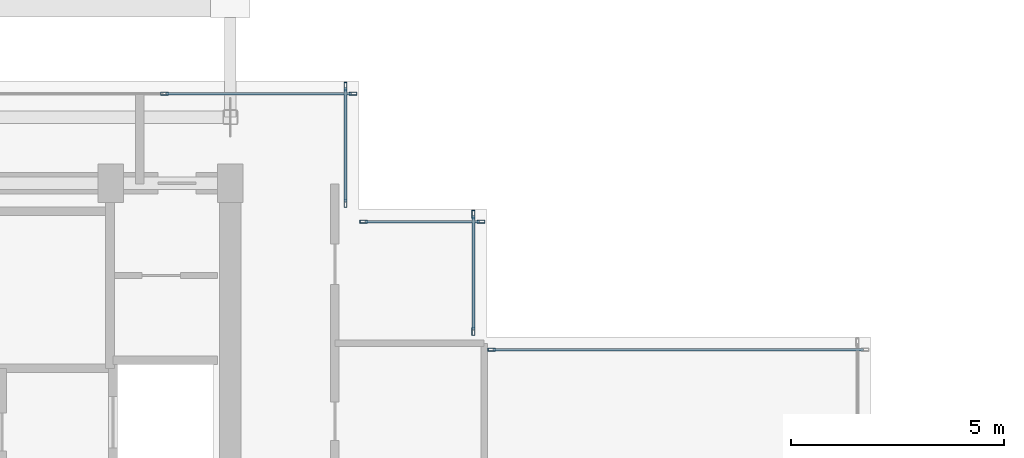
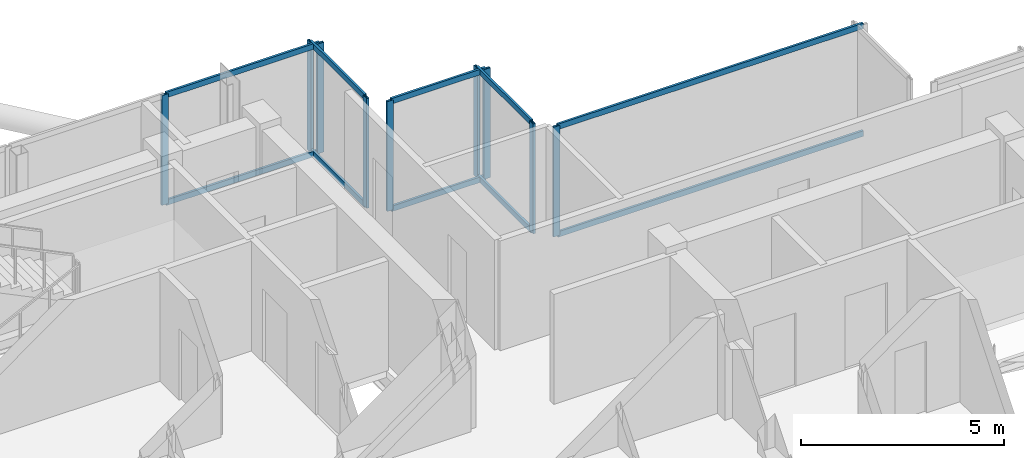
# One storey, part 10 of 18: 19 members, 5 elements without a shape of their own.
"""IFC4 building model written with IfcOpenShell, lengths in metres."""

from ifc_helpers import new_model, si_unit, direction, frame, origin, origin_2d, place, context, subcontext, project, spatial, hollow_rectangle, extrude, material, layer, layer_set, material_profile, profile_set, type_object, element, aggregate, save


model = new_model("IFC4")

# Units and contexts
model_context = context("Model", 3, precision=1e-05, world=origin(), true_north=direction((0.0, 1.0)))
body_context = subcontext(model_context, "Body", "Model", "MODEL_VIEW")
ifc_project = project(units=[si_unit("LENGTHUNIT", "METRE"), si_unit("AREAUNIT", "SQUARE_METRE"), si_unit("VOLUMEUNIT", "CUBIC_METRE"), si_unit("PLANEANGLEUNIT", "RADIAN"), si_unit("MASSUNIT", "GRAM", prefix="KILO"), si_unit("THERMODYNAMICTEMPERATUREUNIT", "KELVIN"), si_unit("POWERUNIT", "WATT")], contexts=[model_context])

# Site, building, storey
site_placement = place(None, origin())
site = spatial("IfcSite", under=ifc_project, at=site_placement, CompositionType="ELEMENT")
building_placement = place(site_placement, origin())
building = spatial("IfcBuilding", under=site, at=building_placement, Name="Svarakhadi Broadcast Tower", CompositionType="ELEMENT")
storey_placement = place(building_placement, frame((0.0, 0.0, 250.199951171875)))
storey = spatial("IfcBuildingStorey", under=building, at=storey_placement, Name="L62", CompositionType="ELEMENT", Elevation=250.199951171875)

# Curtain wall, members
ifc_material = material(Name="Anodised Bronze Aluminium AA 6063-T6", Category="aluminium")
ifc_layer = layer(ifc_material, 0.179931640625)
ifc_layer_set = layer_set([ifc_layer], Name="Anodised Bronze Aluminium AA 6063-T6")
curtain_wall_type = type_object("IfcCurtainWallType", Name="CW_Sys_05", PredefinedType="NOTDEFINED", material=ifc_layer_set)
curtain_wall_1_placement = place(storey_placement, origin())
curtain_wall_1 = element("IfcCurtainWall", 1, at=curtain_wall_1_placement, inside=storey, type_object=curtain_wall_type, Name="L62 Unitised Facade Curtain Wall 06", PredefinedType="NOTDEFINED")
ifc_material_profile_1 = material_profile(ifc_material, hollow_rectangle(XDim=0.070068359375, YDim=0.179931640625, WallThickness=0.005615234375, at=origin_2d()), Name="ALU MULLION 180x70x6")
ifc_profile_set_1 = profile_set([ifc_material_profile_1], Name="Anodised Bronze Aluminium AA 6063-T6")
member_type_1 = type_object("IfcMemberType", Name="CW_Sys_05_Mul", PredefinedType="MULLION", material=ifc_profile_set_1)
member_1_placement = place(storey_placement, frame((16.455078125, 29.699951171875, 0.0), z_axis=(0.0, 0.0, 1.0), x_axis=(0.0, 1.0, 0.0)))
member_1 = element("IfcMember", 2, at=member_1_placement, type_object=member_type_1, Name="CW-05 mullion 4", PredefinedType="MULLION", context=body_context, shape_type="SweptSolid", body=[
    extrude(hollow_rectangle(XDim=0.070068359375, YDim=0.179931640625, WallThickness=0.005615234375, at=origin_2d()), origin(), (0.0, 0.0, 1.0), 3.300048828125),
])
member_2_placement = place(storey_placement, frame((20.875, 29.699951171875, 0.0), z_axis=(0.0, 0.0, 1.0), x_axis=(0.0, 1.0, 0.0)))
member_2 = element("IfcMember", 3, at=member_2_placement, type_object=member_type_1, Name="CW-05 mullion 5", PredefinedType="MULLION", context=body_context, shape_type="SweptSolid", body=[
    extrude(hollow_rectangle(XDim=0.070068359375, YDim=0.179931640625, WallThickness=0.005615234375, at=origin_2d()), origin(), (0.0, 0.0, 1.0), 3.300048828125),
])

curtain_wall_2_placement = place(storey_placement, origin())
curtain_wall_2 = element("IfcCurtainWall", 4, at=curtain_wall_2_placement, inside=storey, type_object=curtain_wall_type, Name="L62 Unitised Facade Curtain Wall 07", PredefinedType="NOTDEFINED")
member_3_placement = place(storey_placement, frame((20.699951171875, 29.875, 0.0), z_axis=(0.0, 0.0, 1.0), x_axis=(1.0, 0.0, 0.0)))
member_3 = element("IfcMember", 5, at=member_3_placement, type_object=member_type_1, Name="CW-05 mullion 1", PredefinedType="MULLION", context=body_context, shape_type="SweptSolid", body=[
    extrude(hollow_rectangle(XDim=0.070068359375, YDim=0.179931640625, WallThickness=0.005615234375, at=origin_2d()), origin(), (0.0, 0.0, 1.0), 3.300048828125),
])
member_4_placement = place(storey_placement, frame((20.699951171875, 27.125, 0.0), z_axis=(0.0, 0.0, 1.0), x_axis=(1.0, 0.0, 0.0)))
member_4 = element("IfcMember", 6, at=member_4_placement, type_object=member_type_1, Name="CW-05 mullion 2", PredefinedType="MULLION", context=body_context, shape_type="SweptSolid", body=[
    extrude(hollow_rectangle(XDim=0.070068359375, YDim=0.179931640625, WallThickness=0.005615234375, at=origin_2d()), origin(), (0.0, 0.0, 1.0), 3.300048828125),
])

curtain_wall_3_placement = place(storey_placement, origin())
curtain_wall_3 = element("IfcCurtainWall", 7, at=curtain_wall_3_placement, inside=storey, type_object=curtain_wall_type, Name="L62 Unitised Facade Curtain Wall 08", PredefinedType="NOTDEFINED")
member_5_placement = place(storey_placement, frame((21.125, 26.699951171875, 0.0), z_axis=(0.0, 0.0, 1.0), x_axis=(0.0, 1.0, 0.0)))
member_5 = element("IfcMember", 8, at=member_5_placement, type_object=member_type_1, Name="CW-05 mullion 1", PredefinedType="MULLION", context=body_context, shape_type="SweptSolid", body=[
    extrude(hollow_rectangle(XDim=0.070068359375, YDim=0.179931640625, WallThickness=0.005615234375, at=origin_2d()), origin(), (0.0, 0.0, 1.0), 3.300048828125),
])
member_6_placement = place(storey_placement, frame((23.875, 26.699951171875, 0.0), z_axis=(0.0, 0.0, 1.0), x_axis=(0.0, 1.0, 0.0)))
member_6 = element("IfcMember", 9, at=member_6_placement, type_object=member_type_1, Name="CW-05 mullion 2", PredefinedType="MULLION", context=body_context, shape_type="SweptSolid", body=[
    extrude(hollow_rectangle(XDim=0.070068359375, YDim=0.179931640625, WallThickness=0.005615234375, at=origin_2d()), origin(), (0.0, 0.0, 1.0), 3.300048828125),
])

curtain_wall_4_placement = place(storey_placement, origin())
curtain_wall_4 = element("IfcCurtainWall", 10, at=curtain_wall_4_placement, inside=storey, type_object=curtain_wall_type, Name="L62 Unitised Facade Curtain Wall 09", PredefinedType="NOTDEFINED")
member_7_placement = place(storey_placement, frame((23.699951171875, 26.875, 0.0), z_axis=(0.0, 0.0, 1.0), x_axis=(1.0, 0.0, 0.0)))
member_7 = element("IfcMember", 11, at=member_7_placement, type_object=member_type_1, Name="CW-05 mullion 1", PredefinedType="MULLION", context=body_context, shape_type="SweptSolid", body=[
    extrude(hollow_rectangle(XDim=0.070068359375, YDim=0.179931640625, WallThickness=0.005615234375, at=origin_2d()), origin(), (0.0, 0.0, 1.0), 3.300048828125),
])
member_8_placement = place(storey_placement, frame((23.699951171875, 24.125, 0.0), z_axis=(0.0, 0.0, 1.0), x_axis=(1.0, 0.0, 0.0)))
member_8 = element("IfcMember", 12, at=member_8_placement, type_object=member_type_1, Name="CW-05 mullion 2", PredefinedType="MULLION", context=body_context, shape_type="SweptSolid", body=[
    extrude(hollow_rectangle(XDim=0.070068359375, YDim=0.179931640625, WallThickness=0.005615234375, at=origin_2d()), origin(), (0.0, 0.0, 1.0), 3.300048828125),
])

# Curtain wall, member
curtain_wall_5_placement = place(storey_placement, origin())
curtain_wall_5 = element("IfcCurtainWall", 13, at=curtain_wall_5_placement, inside=storey, type_object=curtain_wall_type, Name="L62 Unitised Facade Curtain Wall 10", PredefinedType="NOTDEFINED")
member_9_placement = place(storey_placement, frame((24.125, 23.699951171875, 0.0), z_axis=(0.0, 0.0, 1.0), x_axis=(0.0, 1.0, 0.0)))
member_9 = element("IfcMember", 14, at=member_9_placement, type_object=member_type_1, Name="CW-05 mullion 1", PredefinedType="MULLION", context=body_context, shape_type="SweptSolid", body=[
    extrude(hollow_rectangle(XDim=0.070068359375, YDim=0.179931640625, WallThickness=0.005615234375, at=origin_2d()), origin(), (0.0, 0.0, 1.0), 3.300048828125),
])

# Member
ifc_material_profile_2 = material_profile(ifc_material, hollow_rectangle(XDim=0.06494140625, YDim=0.1650390625, WallThickness=0.0048828125, at=origin_2d()), Name="ALU TRANSOM 165x65x5")
ifc_profile_set_2 = profile_set([ifc_material_profile_2], Name="Anodised Bronze Aluminium AA 6063-T6")
member_type_2 = type_object("IfcMemberType", Name="CW_Sys_05_Trn", PredefinedType="USERDEFINED", material=ifc_profile_set_2)
member_10_placement = place(storey_placement, frame((16.489990234375, 29.699951171875, 0.032470703125), z_axis=(1.0, 0.0, 0.0), x_axis=(0.0, 1.0, 0.0)))
member_10 = element("IfcMember", 15, at=member_10_placement, type_object=member_type_2, Name="CW-05 transom 4.1", ObjectType="TRANSOM", PredefinedType="USERDEFINED", context=body_context, shape_type="SweptSolid", body=[
    extrude(hollow_rectangle(XDim=0.06494140625, YDim=0.1650390625, WallThickness=0.0048828125, at=origin_2d()), origin(), (0.0, 0.0, 1.0), 4.35009765625),
])

member_11_placement = place(storey_placement, frame((16.489990234375, 29.699951171875, 3.267578125), z_axis=(1.0, 0.0, 0.0), x_axis=(0.0, 1.0, 0.0)))
member_11 = element("IfcMember", 16, at=member_11_placement, type_object=member_type_2, Name="CW-05 transom 4.2", ObjectType="TRANSOM", PredefinedType="USERDEFINED", context=body_context, shape_type="SweptSolid", body=[
    extrude(hollow_rectangle(XDim=0.06494140625, YDim=0.1650390625, WallThickness=0.0048828125, at=origin_2d()), origin(), (0.0, 0.0, 1.0), 4.35009765625),
])

aggregate(curtain_wall_1, [member_1, member_2, member_10, member_11])

member_12_placement = place(storey_placement, frame((20.699951171875, 29.840087890625, 0.032470703125), z_axis=(0.0, -1.0, 0.0), x_axis=(1.0, 0.0, 0.0)))
member_12 = element("IfcMember", 17, at=member_12_placement, type_object=member_type_2, Name="CW-05 transom 1.1", ObjectType="TRANSOM", PredefinedType="USERDEFINED", context=body_context, shape_type="SweptSolid", body=[
    extrude(hollow_rectangle(XDim=0.06494140625, YDim=0.1650390625, WallThickness=0.0048828125, at=origin_2d()), origin(), (0.0, 0.0, 1.0), 2.68017578125),
])

member_13_placement = place(storey_placement, frame((20.699951171875, 29.840087890625, 3.267578125), z_axis=(0.0, -1.0, 0.0), x_axis=(1.0, 0.0, 0.0)))
member_13 = element("IfcMember", 18, at=member_13_placement, type_object=member_type_2, Name="CW-05 transom 1.2", ObjectType="TRANSOM", PredefinedType="USERDEFINED", context=body_context, shape_type="SweptSolid", body=[
    extrude(hollow_rectangle(XDim=0.06494140625, YDim=0.1650390625, WallThickness=0.0048828125, at=origin_2d()), origin(), (0.0, 0.0, 1.0), 2.68017578125),
])

aggregate(curtain_wall_2, [member_3, member_4, member_12, member_13])

member_14_placement = place(storey_placement, frame((21.159912109375, 26.699951171875, 0.032470703125), z_axis=(1.0, 0.0, 0.0), x_axis=(0.0, 1.0, 0.0)))
member_14 = element("IfcMember", 19, at=member_14_placement, type_object=member_type_2, Name="CW-05 transom 1.1", ObjectType="TRANSOM", PredefinedType="USERDEFINED", context=body_context, shape_type="SweptSolid", body=[
    extrude(hollow_rectangle(XDim=0.06494140625, YDim=0.1650390625, WallThickness=0.0048828125, at=origin_2d()), origin(), (0.0, 0.0, 1.0), 2.68017578125),
])

member_15_placement = place(storey_placement, frame((21.159912109375, 26.699951171875, 3.267578125), z_axis=(1.0, 0.0, 0.0), x_axis=(0.0, 1.0, 0.0)))
member_15 = element("IfcMember", 20, at=member_15_placement, type_object=member_type_2, Name="CW-05 transom 1.2", ObjectType="TRANSOM", PredefinedType="USERDEFINED", context=body_context, shape_type="SweptSolid", body=[
    extrude(hollow_rectangle(XDim=0.06494140625, YDim=0.1650390625, WallThickness=0.0048828125, at=origin_2d()), origin(), (0.0, 0.0, 1.0), 2.68017578125),
])

aggregate(curtain_wall_3, [member_5, member_6, member_14, member_15])

member_16_placement = place(storey_placement, frame((23.699951171875, 26.840087890625, 0.032470703125), z_axis=(0.0, -1.0, 0.0), x_axis=(1.0, 0.0, 0.0)))
member_16 = element("IfcMember", 21, at=member_16_placement, type_object=member_type_2, Name="CW-05 transom 1.1", ObjectType="TRANSOM", PredefinedType="USERDEFINED", context=body_context, shape_type="SweptSolid", body=[
    extrude(hollow_rectangle(XDim=0.06494140625, YDim=0.1650390625, WallThickness=0.0048828125, at=origin_2d()), origin(), (0.0, 0.0, 1.0), 2.68017578125),
])

member_17_placement = place(storey_placement, frame((23.699951171875, 26.840087890625, 3.267578125), z_axis=(0.0, -1.0, 0.0), x_axis=(1.0, 0.0, 0.0)))
member_17 = element("IfcMember", 22, at=member_17_placement, type_object=member_type_2, Name="CW-05 transom 1.2", ObjectType="TRANSOM", PredefinedType="USERDEFINED", context=body_context, shape_type="SweptSolid", body=[
    extrude(hollow_rectangle(XDim=0.06494140625, YDim=0.1650390625, WallThickness=0.0048828125, at=origin_2d()), origin(), (0.0, 0.0, 1.0), 2.68017578125),
])

aggregate(curtain_wall_4, [member_7, member_8, member_16, member_17])

member_18_placement = place(storey_placement, frame((24.159912109375, 23.699951171875, 0.032470703125), z_axis=(1.0, 0.0, 0.0), x_axis=(0.0, 1.0, 0.0)))
member_18 = element("IfcMember", 23, at=member_18_placement, type_object=member_type_2, Name="CW-05 transom 1.1", ObjectType="TRANSOM", PredefinedType="USERDEFINED", context=body_context, shape_type="SweptSolid", body=[
    extrude(hollow_rectangle(XDim=0.06494140625, YDim=0.1650390625, WallThickness=0.0048828125, at=origin_2d()), origin(), (0.0, 0.0, 1.0), 8.68017578125),
])

member_19_placement = place(storey_placement, frame((24.159912109375, 23.699951171875, 3.267578125), z_axis=(1.0, 0.0, 0.0), x_axis=(0.0, 1.0, 0.0)))
member_19 = element("IfcMember", 24, at=member_19_placement, type_object=member_type_2, Name="CW-05 transom 1.2", ObjectType="TRANSOM", PredefinedType="USERDEFINED", context=body_context, shape_type="SweptSolid", body=[
    extrude(hollow_rectangle(XDim=0.06494140625, YDim=0.1650390625, WallThickness=0.0048828125, at=origin_2d()), origin(), (0.0, 0.0, 1.0), 8.68017578125),
])

aggregate(curtain_wall_5, [member_9, member_18, member_19])

save(model, "model.ifc")
